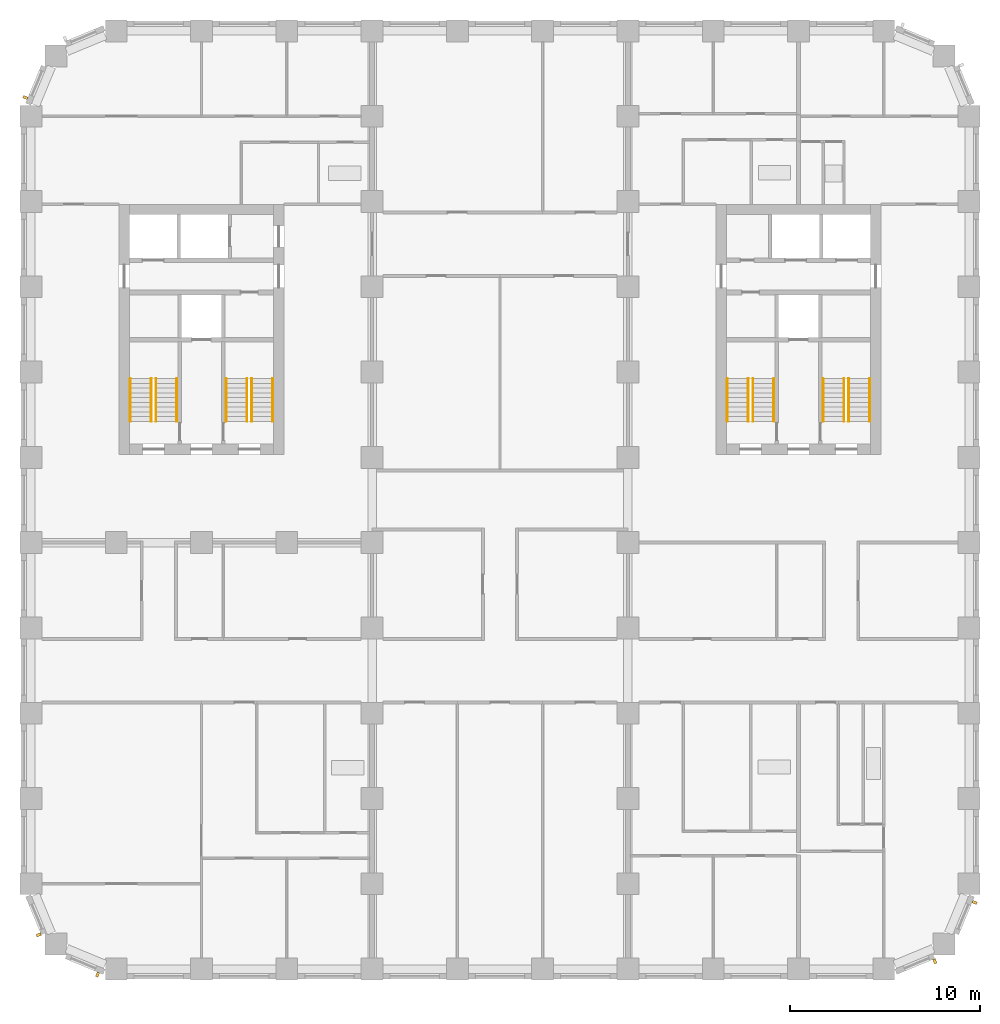
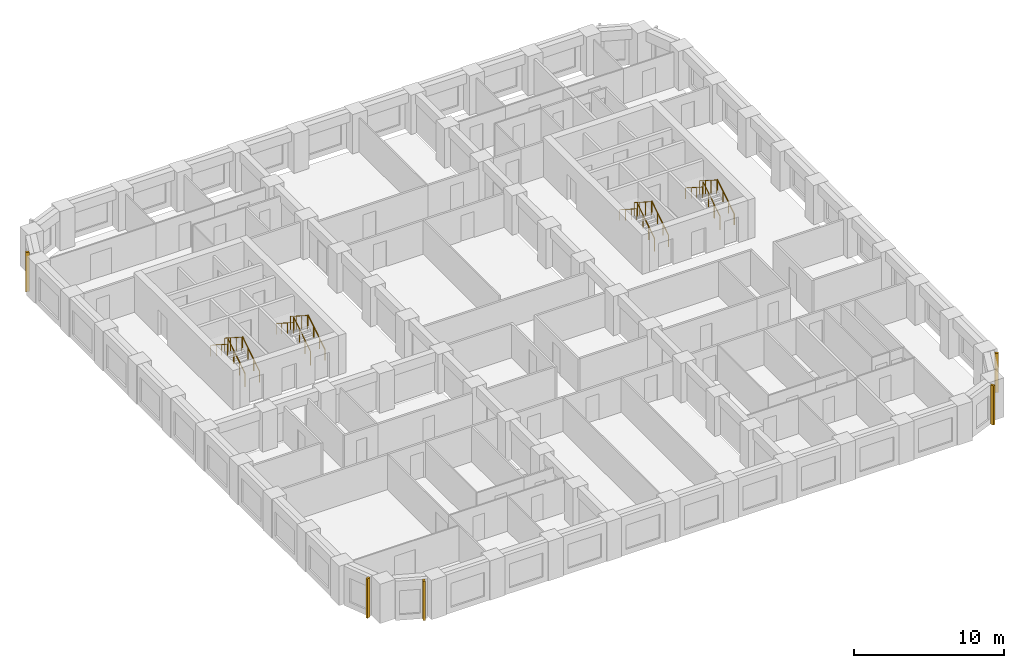
# One storey, part 10 of 12: 16 railings, 5 shading devices.
"""IFC4 building model written with IfcOpenShell, lengths in metres."""

from ifc_helpers import new_model, si_unit, direction, frame, origin, origin_2d, place, context, subcontext, project, spatial, rectangle, circle, extrude, material, type_object, element, save


model = new_model("IFC4")

# Units and contexts
model_context = context("Model", 3, precision=1e-05, world=origin(), true_north=direction((0.0, 1.0)))
body_context = subcontext(model_context, "Body", "Model", "MODEL_VIEW")
ifc_project = project(units=[si_unit("LENGTHUNIT", "METRE"), si_unit("AREAUNIT", "SQUARE_METRE"), si_unit("VOLUMEUNIT", "CUBIC_METRE"), si_unit("PLANEANGLEUNIT", "RADIAN"), si_unit("MASSUNIT", "GRAM", prefix="KILO")], contexts=[model_context])

# Site, building, storey
site_placement = place(None, origin())
site = spatial("IfcSite", under=ifc_project, at=site_placement, CompositionType="ELEMENT")
building_placement = place(site_placement, origin())
building = spatial("IfcBuilding", under=site, at=building_placement, Name="Girih Gate Residences", CompositionType="ELEMENT")
storey_placement = place(building_placement, frame((0.0, 0.0, 121.60009765625)))
storey = spatial("IfcBuildingStorey", under=building, at=storey_placement, Name="L34", CompositionType="ELEMENT", Elevation=121.60009765625)

# Shading devices
ifc_material_1 = material(Name="Precast concrete C50/60", Category="concrete")
shading_device_type = type_object("IfcShadingDeviceType", Name="Corner rib 150x250", PredefinedType="USERDEFINED", material=ifc_material_1)
for number, where, z_axis, x_axis, name in (
    (1, (0.412353515625, 1.8056640625, 0.0), (0.0, 0.0, 1.0), (0.382683432365, -0.923879532511, 0.0), "Corner rib SW0000_0045.0"),
    (2, (3.514892578125, -0.29541015625, 0.0), (0.0, 0.0, 1.0), (0.923879532511, -0.382683432365, 0.0), "Corner rib SW0013_0013.0"),
    (3, (47.6943359375, 0.412353515625, 0.0), (0.0, 0.0, 1.0), (0.923879532511, 0.382683432365, 0.0), "Corner rib SE0450_0000.0"),
    (4, (49.79541015625, 3.514892578125, 0.0), (0.0, 0.0, 1.0), (0.382683432365, 0.923879532511, 0.0), "Corner rib SE0482_0013.0"),
    (5, (-0.29541015625, 45.985107421875, 0.0), (0.0, 0.0, 1.0), (-0.382683432365, -0.923879532511, 0.0), "Corner rib NW0013_0482.0"),
):
    element("IfcShadingDevice", number, at=place(storey_placement, frame(where, z_axis=z_axis, x_axis=x_axis)), inside=storey, type_object=shading_device_type, Name=name, ObjectType="FIN", PredefinedType="USERDEFINED", context=body_context, shape_type="SweptSolid", body=[
        extrude(rectangle(XDim=0.14990234375, YDim=0.25, at=origin_2d()), origin(), (0.0, 0.0, 1.0), 3.199951171875),
    ])

# Railings
ifc_material_2 = material(Name="Stainless steel", Category="steel")
railing_type_1 = type_object("IfcRailingType", Name="Stair guard 1100", PredefinedType="GUARDRAIL", material=ifc_material_2)
railing_1_placement = place(storey_placement, frame((6.60009765625, 28.89990234375, 0.159912109375)))
element("IfcRailing", 6, at=railing_1_placement, inside=storey, type_object=railing_type_1, Name="L34 ST-W1 stair guard 1", PredefinedType="GUARDRAIL", context=body_context, shape_type="SweptSolid", body=[
    extrude(circle(Radius=0.02392578125, at=origin_2d()), frame((0.0, 0.0, 1.076171875), z_axis=(0.0, 0.842281359387, 0.539038135598), x_axis=(-1.0, 0.0, 0.0)), (0.0, 0.0, 1.0), 2.67138671875),
    extrude(circle(Radius=0.02099609375, at=origin_2d()), origin(), (0.0, 0.0, 1.0), 1.052001953125),
    extrude(circle(Radius=0.02099609375, at=origin_2d()), frame((0.0, 0.75, 0.47998046875)), (0.0, 0.0, 1.0), 1.052001953125),
    extrude(circle(Radius=0.02099609375, at=origin_2d()), frame((0.0, 1.5, 0.9599609375)), (0.0, 0.0, 1.0), 1.052001953125),
    extrude(circle(Radius=0.02099609375, at=origin_2d()), frame((0.0, 2.25, 1.43994140625)), (0.0, 0.0, 1.0), 1.052001953125),
])
railing_2_placement = place(storey_placement, frame((6.35009765625, 31.14990234375, 1.760009765625)))
element("IfcRailing", 7, at=railing_2_placement, inside=storey, type_object=railing_type_1, Name="L34 ST-W1 stair guard 2", PredefinedType="GUARDRAIL", context=body_context, shape_type="SweptSolid", body=[
    extrude(circle(Radius=0.02392578125, at=origin_2d()), frame((0.0, 0.0, 1.076171875), z_axis=(0.0, -0.842281359387, 0.539038135598), x_axis=(1.0, 0.0, 0.0)), (0.0, 0.0, 1.0), 2.67138671875),
    extrude(circle(Radius=0.02099609375, at=origin_2d()), origin(), (0.0, 0.0, 1.0), 1.052001953125),
    extrude(circle(Radius=0.02099609375, at=origin_2d()), frame((0.0, -0.75, 0.47998046875)), (0.0, 0.0, 1.0), 1.052001953125),
    extrude(circle(Radius=0.02099609375, at=origin_2d()), frame((0.0, -1.5, 0.9599609375)), (0.0, 0.0, 1.0), 1.052001953125),
    extrude(circle(Radius=0.02099609375, at=origin_2d()), frame((0.0, -2.25, 1.43994140625)), (0.0, 0.0, 1.0), 1.052001953125),
])
railing_3_placement = place(storey_placement, frame((11.64990234375, 28.89990234375, 0.159912109375)))
element("IfcRailing", 8, at=railing_3_placement, inside=storey, type_object=railing_type_1, Name="L34 ST-W2 stair guard 1", PredefinedType="GUARDRAIL", context=body_context, shape_type="SweptSolid", body=[
    extrude(circle(Radius=0.02392578125, at=origin_2d()), frame((0.0, 0.0, 1.076171875), z_axis=(0.0, 0.842281359387, 0.539038135598), x_axis=(-1.0, 0.0, 0.0)), (0.0, 0.0, 1.0), 2.67138671875),
    extrude(circle(Radius=0.02099609375, at=origin_2d()), origin(), (0.0, 0.0, 1.0), 1.052001953125),
    extrude(circle(Radius=0.02099609375, at=origin_2d()), frame((0.0, 0.75, 0.47998046875)), (0.0, 0.0, 1.0), 1.052001953125),
    extrude(circle(Radius=0.02099609375, at=origin_2d()), frame((0.0, 1.5, 0.9599609375)), (0.0, 0.0, 1.0), 1.052001953125),
    extrude(circle(Radius=0.02099609375, at=origin_2d()), frame((0.0, 2.25, 1.43994140625)), (0.0, 0.0, 1.0), 1.052001953125),
])
railing_4_placement = place(storey_placement, frame((11.39990234375, 31.14990234375, 1.760009765625)))
element("IfcRailing", 9, at=railing_4_placement, inside=storey, type_object=railing_type_1, Name="L34 ST-W2 stair guard 2", PredefinedType="GUARDRAIL", context=body_context, shape_type="SweptSolid", body=[
    extrude(circle(Radius=0.02392578125, at=origin_2d()), frame((0.0, 0.0, 1.076171875), z_axis=(0.0, -0.842281359387, 0.539038135598), x_axis=(1.0, 0.0, 0.0)), (0.0, 0.0, 1.0), 2.67138671875),
    extrude(circle(Radius=0.02099609375, at=origin_2d()), origin(), (0.0, 0.0, 1.0), 1.052001953125),
    extrude(circle(Radius=0.02099609375, at=origin_2d()), frame((0.0, -0.75, 0.47998046875)), (0.0, 0.0, 1.0), 1.052001953125),
    extrude(circle(Radius=0.02099609375, at=origin_2d()), frame((0.0, -1.5, 0.9599609375)), (0.0, 0.0, 1.0), 1.052001953125),
    extrude(circle(Radius=0.02099609375, at=origin_2d()), frame((0.0, -2.25, 1.43994140625)), (0.0, 0.0, 1.0), 1.052001953125),
])
railing_5_placement = place(storey_placement, frame((43.14990234375, 28.89990234375, 0.159912109375)))
element("IfcRailing", 10, at=railing_5_placement, inside=storey, type_object=railing_type_1, Name="L34 ST-E1 stair guard 1", PredefinedType="GUARDRAIL", context=body_context, shape_type="SweptSolid", body=[
    extrude(circle(Radius=0.02392578125, at=origin_2d()), frame((0.0, 0.0, 1.076171875), z_axis=(0.0, 0.842281359387, 0.539038135598), x_axis=(-1.0, 0.0, 0.0)), (0.0, 0.0, 1.0), 2.67138671875),
    extrude(circle(Radius=0.02099609375, at=origin_2d()), origin(), (0.0, 0.0, 1.0), 1.052001953125),
    extrude(circle(Radius=0.02099609375, at=origin_2d()), frame((0.0, 0.75, 0.47998046875)), (0.0, 0.0, 1.0), 1.052001953125),
    extrude(circle(Radius=0.02099609375, at=origin_2d()), frame((0.0, 1.5, 0.9599609375)), (0.0, 0.0, 1.0), 1.052001953125),
    extrude(circle(Radius=0.02099609375, at=origin_2d()), frame((0.0, 2.25, 1.43994140625)), (0.0, 0.0, 1.0), 1.052001953125),
])
railing_6_placement = place(storey_placement, frame((42.89990234375, 31.14990234375, 1.760009765625)))
element("IfcRailing", 11, at=railing_6_placement, inside=storey, type_object=railing_type_1, Name="L34 ST-E1 stair guard 2", PredefinedType="GUARDRAIL", context=body_context, shape_type="SweptSolid", body=[
    extrude(circle(Radius=0.02392578125, at=origin_2d()), frame((0.0, 0.0, 1.076171875), z_axis=(0.0, -0.842281359387, 0.539038135598), x_axis=(1.0, 0.0, 0.0)), (0.0, 0.0, 1.0), 2.67138671875),
    extrude(circle(Radius=0.02099609375, at=origin_2d()), origin(), (0.0, 0.0, 1.0), 1.052001953125),
    extrude(circle(Radius=0.02099609375, at=origin_2d()), frame((0.0, -0.75, 0.47998046875)), (0.0, 0.0, 1.0), 1.052001953125),
    extrude(circle(Radius=0.02099609375, at=origin_2d()), frame((0.0, -1.5, 0.9599609375)), (0.0, 0.0, 1.0), 1.052001953125),
    extrude(circle(Radius=0.02099609375, at=origin_2d()), frame((0.0, -2.25, 1.43994140625)), (0.0, 0.0, 1.0), 1.052001953125),
])
railing_7_placement = place(storey_placement, frame((38.10009765625, 28.89990234375, 0.159912109375)))
element("IfcRailing", 12, at=railing_7_placement, inside=storey, type_object=railing_type_1, Name="L34 ST-E2 stair guard 1", PredefinedType="GUARDRAIL", context=body_context, shape_type="SweptSolid", body=[
    extrude(circle(Radius=0.02392578125, at=origin_2d()), frame((0.0, 0.0, 1.076171875), z_axis=(0.0, 0.842281359387, 0.539038135598), x_axis=(-1.0, 0.0, 0.0)), (0.0, 0.0, 1.0), 2.67138671875),
    extrude(circle(Radius=0.02099609375, at=origin_2d()), origin(), (0.0, 0.0, 1.0), 1.052001953125),
    extrude(circle(Radius=0.02099609375, at=origin_2d()), frame((0.0, 0.75, 0.47998046875)), (0.0, 0.0, 1.0), 1.052001953125),
    extrude(circle(Radius=0.02099609375, at=origin_2d()), frame((0.0, 1.5, 0.9599609375)), (0.0, 0.0, 1.0), 1.052001953125),
    extrude(circle(Radius=0.02099609375, at=origin_2d()), frame((0.0, 2.25, 1.43994140625)), (0.0, 0.0, 1.0), 1.052001953125),
])
railing_8_placement = place(storey_placement, frame((37.85009765625, 31.14990234375, 1.760009765625)))
element("IfcRailing", 13, at=railing_8_placement, inside=storey, type_object=railing_type_1, Name="L34 ST-E2 stair guard 2", PredefinedType="GUARDRAIL", context=body_context, shape_type="SweptSolid", body=[
    extrude(circle(Radius=0.02392578125, at=origin_2d()), frame((0.0, 0.0, 1.076171875), z_axis=(0.0, -0.842281359387, 0.539038135598), x_axis=(1.0, 0.0, 0.0)), (0.0, 0.0, 1.0), 2.67138671875),
    extrude(circle(Radius=0.02099609375, at=origin_2d()), origin(), (0.0, 0.0, 1.0), 1.052001953125),
    extrude(circle(Radius=0.02099609375, at=origin_2d()), frame((0.0, -0.75, 0.47998046875)), (0.0, 0.0, 1.0), 1.052001953125),
    extrude(circle(Radius=0.02099609375, at=origin_2d()), frame((0.0, -1.5, 0.9599609375)), (0.0, 0.0, 1.0), 1.052001953125),
    extrude(circle(Radius=0.02099609375, at=origin_2d()), frame((0.0, -2.25, 1.43994140625)), (0.0, 0.0, 1.0), 1.052001953125),
])
railing_type_2 = type_object("IfcRailingType", Name="Stair handrail 900", PredefinedType="HANDRAIL", material=ifc_material_2)
railing_9_placement = place(storey_placement, frame((7.699951171875, 28.89990234375, 0.159912109375)))
element("IfcRailing", 14, at=railing_9_placement, inside=storey, type_object=railing_type_2, Name="L34 ST-W1 stair handrail 1", PredefinedType="HANDRAIL", context=body_context, shape_type="SweptSolid", body=[
    extrude(circle(Radius=0.02392578125, at=origin_2d()), frame((0.0, 0.0, 0.8857421875), z_axis=(0.0, 0.842281359387, 0.539038135598), x_axis=(-1.0, 0.0, 0.0)), (0.0, 0.0, 1.0), 2.67138671875),
    extrude(circle(Radius=0.02099609375, at=origin_2d()), origin(), (0.0, 0.0, 1.0), 0.86181640625),
    extrude(circle(Radius=0.02099609375, at=origin_2d()), frame((0.0, 0.75, 0.47998046875)), (0.0, 0.0, 1.0), 0.86181640625),
    extrude(circle(Radius=0.02099609375, at=origin_2d()), frame((0.0, 1.5, 0.9599609375)), (0.0, 0.0, 1.0), 0.86181640625),
    extrude(circle(Radius=0.02099609375, at=origin_2d()), frame((0.0, 2.25, 1.43994140625)), (0.0, 0.0, 1.0), 0.86181640625),
])
railing_10_placement = place(storey_placement, frame((5.25, 31.14990234375, 1.760009765625)))
element("IfcRailing", 15, at=railing_10_placement, inside=storey, type_object=railing_type_2, Name="L34 ST-W1 stair handrail 2", PredefinedType="HANDRAIL", context=body_context, shape_type="SweptSolid", body=[
    extrude(circle(Radius=0.02392578125, at=origin_2d()), frame((0.0, 0.0, 0.8857421875), z_axis=(0.0, -0.842281359387, 0.539038135598), x_axis=(1.0, 0.0, 0.0)), (0.0, 0.0, 1.0), 2.67138671875),
    extrude(circle(Radius=0.02099609375, at=origin_2d()), origin(), (0.0, 0.0, 1.0), 0.86181640625),
    extrude(circle(Radius=0.02099609375, at=origin_2d()), frame((0.0, -0.75, 0.47998046875)), (0.0, 0.0, 1.0), 0.86181640625),
    extrude(circle(Radius=0.02099609375, at=origin_2d()), frame((0.0, -1.5, 0.9599609375)), (0.0, 0.0, 1.0), 0.86181640625),
    extrude(circle(Radius=0.02099609375, at=origin_2d()), frame((0.0, -2.25, 1.43994140625)), (0.0, 0.0, 1.0), 0.86181640625),
])
railing_11_placement = place(storey_placement, frame((12.75, 28.89990234375, 0.159912109375)))
element("IfcRailing", 16, at=railing_11_placement, inside=storey, type_object=railing_type_2, Name="L34 ST-W2 stair handrail 1", PredefinedType="HANDRAIL", context=body_context, shape_type="SweptSolid", body=[
    extrude(circle(Radius=0.02392578125, at=origin_2d()), frame((0.0, 0.0, 0.8857421875), z_axis=(0.0, 0.842281359387, 0.539038135598), x_axis=(-1.0, 0.0, 0.0)), (0.0, 0.0, 1.0), 2.67138671875),
    extrude(circle(Radius=0.02099609375, at=origin_2d()), origin(), (0.0, 0.0, 1.0), 0.86181640625),
    extrude(circle(Radius=0.02099609375, at=origin_2d()), frame((0.0, 0.75, 0.47998046875)), (0.0, 0.0, 1.0), 0.86181640625),
    extrude(circle(Radius=0.02099609375, at=origin_2d()), frame((0.0, 1.5, 0.9599609375)), (0.0, 0.0, 1.0), 0.86181640625),
    extrude(circle(Radius=0.02099609375, at=origin_2d()), frame((0.0, 2.25, 1.43994140625)), (0.0, 0.0, 1.0), 0.86181640625),
])
railing_12_placement = place(storey_placement, frame((10.300048828125, 31.14990234375, 1.760009765625)))
element("IfcRailing", 17, at=railing_12_placement, inside=storey, type_object=railing_type_2, Name="L34 ST-W2 stair handrail 2", PredefinedType="HANDRAIL", context=body_context, shape_type="SweptSolid", body=[
    extrude(circle(Radius=0.02392578125, at=origin_2d()), frame((0.0, 0.0, 0.8857421875), z_axis=(0.0, -0.842281359387, 0.539038135598), x_axis=(1.0, 0.0, 0.0)), (0.0, 0.0, 1.0), 2.67138671875),
    extrude(circle(Radius=0.02099609375, at=origin_2d()), origin(), (0.0, 0.0, 1.0), 0.86181640625),
    extrude(circle(Radius=0.02099609375, at=origin_2d()), frame((0.0, -0.75, 0.47998046875)), (0.0, 0.0, 1.0), 0.86181640625),
    extrude(circle(Radius=0.02099609375, at=origin_2d()), frame((0.0, -1.5, 0.9599609375)), (0.0, 0.0, 1.0), 0.86181640625),
    extrude(circle(Radius=0.02099609375, at=origin_2d()), frame((0.0, -2.25, 1.43994140625)), (0.0, 0.0, 1.0), 0.86181640625),
])
railing_13_placement = place(storey_placement, frame((44.25, 28.89990234375, 0.159912109375)))
element("IfcRailing", 18, at=railing_13_placement, inside=storey, type_object=railing_type_2, Name="L34 ST-E1 stair handrail 1", PredefinedType="HANDRAIL", context=body_context, shape_type="SweptSolid", body=[
    extrude(circle(Radius=0.02392578125, at=origin_2d()), frame((0.0, 0.0, 0.8857421875), z_axis=(0.0, 0.842281359387, 0.539038135598), x_axis=(-1.0, 0.0, 0.0)), (0.0, 0.0, 1.0), 2.67138671875),
    extrude(circle(Radius=0.02099609375, at=origin_2d()), origin(), (0.0, 0.0, 1.0), 0.86181640625),
    extrude(circle(Radius=0.02099609375, at=origin_2d()), frame((0.0, 0.75, 0.47998046875)), (0.0, 0.0, 1.0), 0.86181640625),
    extrude(circle(Radius=0.02099609375, at=origin_2d()), frame((0.0, 1.5, 0.9599609375)), (0.0, 0.0, 1.0), 0.86181640625),
    extrude(circle(Radius=0.02099609375, at=origin_2d()), frame((0.0, 2.25, 1.43994140625)), (0.0, 0.0, 1.0), 0.86181640625),
])
railing_14_placement = place(storey_placement, frame((41.800048828125, 31.14990234375, 1.760009765625)))
element("IfcRailing", 19, at=railing_14_placement, inside=storey, type_object=railing_type_2, Name="L34 ST-E1 stair handrail 2", PredefinedType="HANDRAIL", context=body_context, shape_type="SweptSolid", body=[
    extrude(circle(Radius=0.02392578125, at=origin_2d()), frame((0.0, 0.0, 0.8857421875), z_axis=(0.0, -0.842281359387, 0.539038135598), x_axis=(1.0, 0.0, 0.0)), (0.0, 0.0, 1.0), 2.67138671875),
    extrude(circle(Radius=0.02099609375, at=origin_2d()), origin(), (0.0, 0.0, 1.0), 0.86181640625),
    extrude(circle(Radius=0.02099609375, at=origin_2d()), frame((0.0, -0.75, 0.47998046875)), (0.0, 0.0, 1.0), 0.86181640625),
    extrude(circle(Radius=0.02099609375, at=origin_2d()), frame((0.0, -1.5, 0.9599609375)), (0.0, 0.0, 1.0), 0.86181640625),
    extrude(circle(Radius=0.02099609375, at=origin_2d()), frame((0.0, -2.25, 1.43994140625)), (0.0, 0.0, 1.0), 0.86181640625),
])
railing_15_placement = place(storey_placement, frame((39.199951171875, 28.89990234375, 0.159912109375)))
element("IfcRailing", 20, at=railing_15_placement, inside=storey, type_object=railing_type_2, Name="L34 ST-E2 stair handrail 1", PredefinedType="HANDRAIL", context=body_context, shape_type="SweptSolid", body=[
    extrude(circle(Radius=0.02392578125, at=origin_2d()), frame((0.0, 0.0, 0.8857421875), z_axis=(0.0, 0.842281359387, 0.539038135598), x_axis=(-1.0, 0.0, 0.0)), (0.0, 0.0, 1.0), 2.67138671875),
    extrude(circle(Radius=0.02099609375, at=origin_2d()), origin(), (0.0, 0.0, 1.0), 0.86181640625),
    extrude(circle(Radius=0.02099609375, at=origin_2d()), frame((0.0, 0.75, 0.47998046875)), (0.0, 0.0, 1.0), 0.86181640625),
    extrude(circle(Radius=0.02099609375, at=origin_2d()), frame((0.0, 1.5, 0.9599609375)), (0.0, 0.0, 1.0), 0.86181640625),
    extrude(circle(Radius=0.02099609375, at=origin_2d()), frame((0.0, 2.25, 1.43994140625)), (0.0, 0.0, 1.0), 0.86181640625),
])
railing_16_placement = place(storey_placement, frame((36.75, 31.14990234375, 1.760009765625)))
element("IfcRailing", 21, at=railing_16_placement, inside=storey, type_object=railing_type_2, Name="L34 ST-E2 stair handrail 2", PredefinedType="HANDRAIL", context=body_context, shape_type="SweptSolid", body=[
    extrude(circle(Radius=0.02392578125, at=origin_2d()), frame((0.0, 0.0, 0.8857421875), z_axis=(0.0, -0.842281359387, 0.539038135598), x_axis=(1.0, 0.0, 0.0)), (0.0, 0.0, 1.0), 2.67138671875),
    extrude(circle(Radius=0.02099609375, at=origin_2d()), origin(), (0.0, 0.0, 1.0), 0.86181640625),
    extrude(circle(Radius=0.02099609375, at=origin_2d()), frame((0.0, -0.75, 0.47998046875)), (0.0, 0.0, 1.0), 0.86181640625),
    extrude(circle(Radius=0.02099609375, at=origin_2d()), frame((0.0, -1.5, 0.9599609375)), (0.0, 0.0, 1.0), 0.86181640625),
    extrude(circle(Radius=0.02099609375, at=origin_2d()), frame((0.0, -2.25, 1.43994140625)), (0.0, 0.0, 1.0), 0.86181640625),
])

save(model, "model.ifc")
